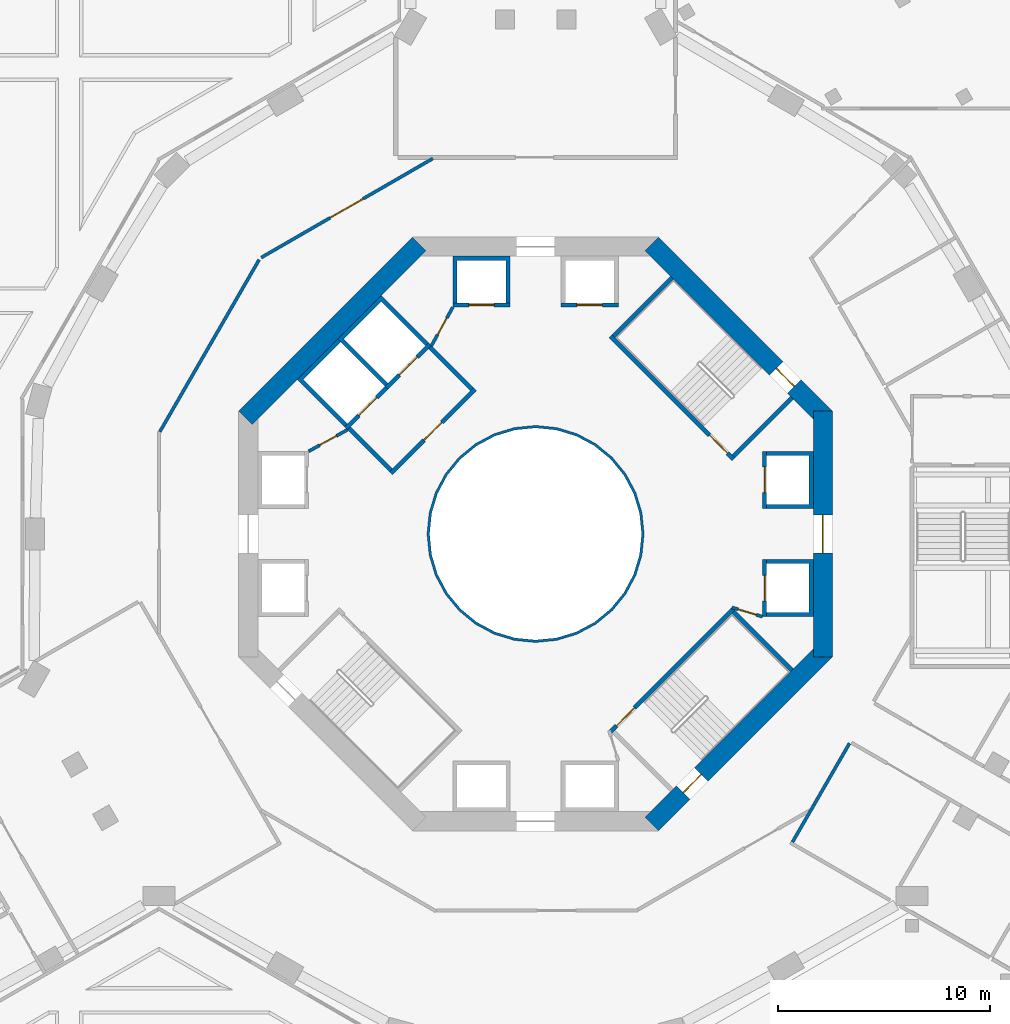
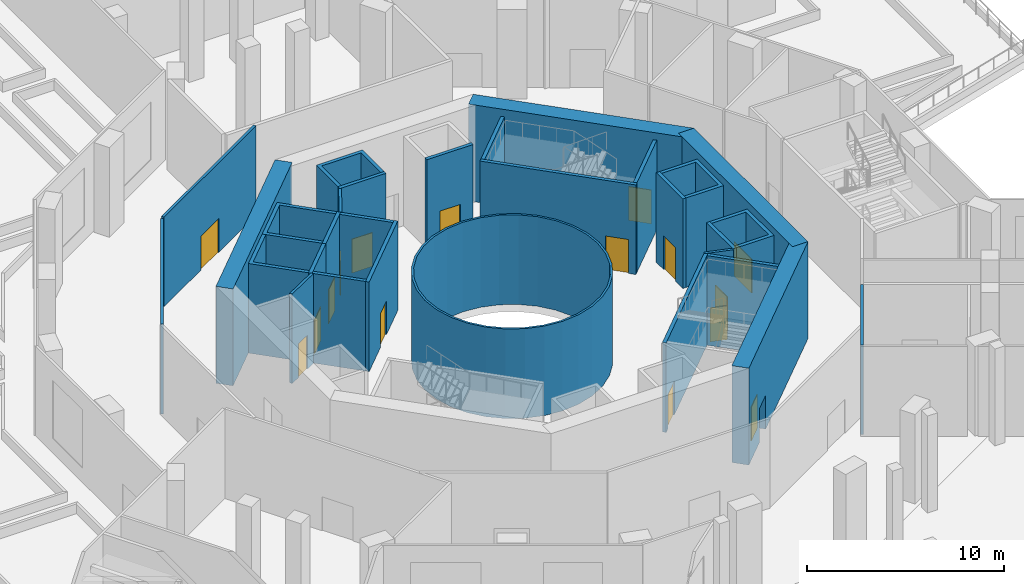
# One storey, part 6 of 29: 30 walls, 16 doors, 16 openings.
"""IFC4 building model written with IfcOpenShell, lengths in metres."""

from ifc_helpers import new_model, si_unit, direction, frame, frame_2d, origin, place, context, subcontext, project, spatial, polyline, rectangle, outline, extrude, material, layer, layer_set, type_object, element, fill, save


model = new_model("IFC4")

# Units and contexts
model_context = context("Model", 3, precision=1e-05, world=origin(), true_north=direction((0.0, 1.0)))
body_context = subcontext(model_context, "Body", "Model", "MODEL_VIEW")
ifc_project = project(units=[si_unit("LENGTHUNIT", "METRE"), si_unit("AREAUNIT", "SQUARE_METRE"), si_unit("VOLUMEUNIT", "CUBIC_METRE"), si_unit("PLANEANGLEUNIT", "RADIAN"), si_unit("MASSUNIT", "GRAM", prefix="KILO")], contexts=[model_context])

# Site, building, storey
site_placement = place(None, origin())
site = spatial("IfcSite", under=ifc_project, at=site_placement, CompositionType="ELEMENT")
building_placement = place(site_placement, origin())
building = spatial("IfcBuilding", under=site, at=building_placement, Name="Verdalira Terraces Hotel", CompositionType="ELEMENT")
storey_placement = place(building_placement, frame((0.0, 0.0, 8.0)))
storey = spatial("IfcBuildingStorey", under=building, at=storey_placement, Name="L01", CompositionType="ELEMENT", Elevation=8.0)

# Walls
ifc_material_1 = material(Name="Fire-resisting glass EI 180", Category="glass")
ifc_layer_1 = layer(ifc_material_1, 0.1201171875)
ifc_layer_set_1 = layer_set([ifc_layer_1], Name="Atrium fire screen 120 mm")
wall_type_1 = type_object("IfcWallType", Name="Atrium fire screen 120 mm", PredefinedType="SOLIDWALL", material=ifc_layer_set_1)
wall_1_placement = place(storey_placement, origin())
element("IfcWall", 1, at=wall_1_placement, inside=storey, type_object=wall_type_1, Name="Atrium fire screen", PredefinedType="SOLIDWALL", context=body_context, shape_type="SweptSolid", body=[
    extrude(outline(polyline([(5.021484, -0.998779), (4.730225, -1.959229), (4.25708, -2.844482), (3.620361, -3.620361), (2.844482, -4.25708), (1.959229, -4.730225), (0.998779, -5.021484), (0.0, -5.120117), (-0.998779, -5.021484), (-1.959229, -4.730225), (-2.844482, -4.25708), (-3.620361, -3.620361), (-4.25708, -2.844482), (-4.730225, -1.959229), (-5.021484, -0.998779), (-5.120117, 0.0), (-5.021484, 0.998779), (-4.730225, 1.959229), (-4.25708, 2.844482), (-3.620361, 3.620361), (-2.844482, 4.25708), (-1.959229, 4.730225), (-0.998779, 5.021484), (0.0, 5.120117), (0.998779, 5.021484), (1.959229, 4.730225), (2.844482, 4.25708), (3.620361, 3.620361), (4.25708, 2.844482), (4.730225, 1.959229), (5.021484, 0.998779), (5.120117, 0.0), (5.021484, -0.998779)]), holes=[polyline([(4.903809, 0.975586), (4.619385, 1.91333), (4.157227, 2.777832), (3.5354, 3.5354), (2.777832, 4.157227), (1.91333, 4.619385), (0.975586, 4.903809), (0.0, 5.0), (-0.975586, 4.903809), (-1.91333, 4.619385), (-2.777832, 4.157227), (-3.5354, 3.5354), (-4.157227, 2.777832), (-4.619385, 1.91333), (-4.903809, 0.975586), (-5.0, 0.0), (-4.903809, -0.975586), (-4.619385, -1.91333), (-4.157227, -2.777832), (-3.5354, -3.5354), (-2.777832, -4.157227), (-1.91333, -4.619385), (-0.975586, -4.903809), (0.0, -5.0), (0.975586, -4.903809), (1.91333, -4.619385), (2.777832, -4.157227), (3.5354, -3.5354), (4.157227, -2.777832), (4.619385, -1.91333), (4.903809, -0.975586), (5.0, 0.0), (4.903809, 0.975586)])]), origin(), (0.0, 0.0, 1.0), 5.550049),
])
ifc_material_2 = material(Name="Concrete C50", Category="concrete")
ifc_layer_2 = layer(ifc_material_2, 0.199951171875)
ifc_layer_set_2 = layer_set([ifc_layer_2], Name="Core RC wall 200 C50")
wall_type_2 = type_object("IfcWallType", Name="Core RC wall 200 C50", PredefinedType="SOLIDWALL", material=ifc_layer_set_2)
wall_2_placement = place(storey_placement, origin())
element("IfcWall", 2, at=wall_2_placement, inside=storey, type_object=wall_type_2, Name="L01 shaft wall E1", PredefinedType="SOLIDWALL", context=body_context, shape_type="SweptSolid", body=[
    extrude(outline(polyline([(13.100098, -3.899902), (10.899902, -3.899902), (10.899902, -3.699951), (12.899902, -3.699951), (12.899902, -1.399902), (10.899902, -1.399902), (10.899902, -1.199951), (13.100098, -1.199951), (13.100098, -3.899902)])), origin(), (0.0, 0.0, 1.0), 5.550049),
])

# Wall, opening, door
wall_3_placement = place(storey_placement, frame((10.800049, -1.199951, 0.0), z_axis=(0.0, 0.0, 1.0), x_axis=(0.0, -1.0, 0.0)))
wall_3 = element("IfcWall", 3, at=wall_3_placement, inside=storey, type_object=wall_type_2, Name="L01 shaft front wall E1", PredefinedType="SOLIDWALL", context=body_context, shape_type="SweptSolid", body=[
    extrude(rectangle(XDim=2.699951, YDim=0.199951, at=frame_2d((1.350098, 0.0))), origin(), (0.0, 0.0, 1.0), 5.550049),
])
opening_1_placement = place(wall_3_placement, frame((0.75, 0.0, 0.0)))
opening_1 = element("IfcOpeningElement", 4, at=opening_1_placement, cuts=wall_3, Name="Opening LD-L01-801", PredefinedType="OPENING", context=body_context, shape_type="SweptSolid", body=[
    extrude(rectangle(XDim=1.199951, YDim=2.100098, at=frame_2d((0.600098, 1.050049))), frame((0.0, 0.109863, 0.0), z_axis=(0.0, -1.0, 0.0), x_axis=(1.0, 0.0, 0.0)), (0.0, 0.0, 1.0), 0.219971),
])
ifc_material_3 = material(Name="Stainless steel", Category="steel")
door_type_1 = type_object("IfcDoorType", Name="Landing door 1200 x 2100", OperationType="NOTDEFINED", PredefinedType="DOOR", material=ifc_material_3)
door_1_placement = place(opening_1_placement, origin())
door_1 = element("IfcDoor", 5, at=door_1_placement, inside=storey, type_object=door_type_1, Name="Lift landing door LR1 L01", OperationType="DOUBLE_DOOR_SLIDING", OverallHeight=2.10009765625, OverallWidth=1.199951171875, PredefinedType="DOOR", context=body_context, shape_type="SweptSolid", body=[
    extrude(rectangle(XDim=1.199951, YDim=2.100098, at=frame_2d((0.600098, 1.050049))), frame((0.0, 0.024902, 0.0), z_axis=(0.0, -1.0, 0.0), x_axis=(1.0, 0.0, 0.0)), (0.0, 0.0, 1.0), 0.050049),
])
fill(opening_1, door_1)

# Wall
wall_4_placement = place(storey_placement, origin())
element("IfcWall", 6, at=wall_4_placement, inside=storey, type_object=wall_type_2, Name="L01 shaft wall E2", PredefinedType="SOLIDWALL", context=body_context, shape_type="SweptSolid", body=[
    extrude(outline(polyline([(13.100098, 3.899902), (13.100098, 1.199951), (10.899902, 1.199951), (10.899902, 1.399902), (12.899902, 1.399902), (12.899902, 3.699951), (10.899902, 3.699951), (10.899902, 3.899902), (13.100098, 3.899902)])), origin(), (0.0, 0.0, 1.0), 5.550049),
])

# Wall, opening, door
wall_5_placement = place(storey_placement, frame((10.800049, 1.199951, 0.0), z_axis=(0.0, 0.0, 1.0), x_axis=(0.0, 1.0, 0.0)))
wall_5 = element("IfcWall", 7, at=wall_5_placement, inside=storey, type_object=wall_type_2, Name="L01 shaft front wall E2", PredefinedType="SOLIDWALL", context=body_context, shape_type="SweptSolid", body=[
    extrude(rectangle(XDim=2.699951, YDim=0.199951, at=frame_2d((1.350098, 0.0))), origin(), (0.0, 0.0, 1.0), 5.550049),
])
opening_2_placement = place(wall_5_placement, frame((0.75, 0.0, 0.0)))
opening_2 = element("IfcOpeningElement", 8, at=opening_2_placement, cuts=wall_5, Name="Opening LD-L01-802", PredefinedType="OPENING", context=body_context, shape_type="SweptSolid", body=[
    extrude(rectangle(XDim=1.199951, YDim=2.100098, at=frame_2d((0.600098, 1.050049))), frame((0.0, 0.109863, 0.0), z_axis=(0.0, -1.0, 0.0), x_axis=(1.0, 0.0, 0.0)), (0.0, 0.0, 1.0), 0.219971),
])
door_2_placement = place(opening_2_placement, origin())
door_2 = element("IfcDoor", 9, at=door_2_placement, inside=storey, type_object=door_type_1, Name="Lift landing door LR2 L01", OperationType="DOUBLE_DOOR_SLIDING", OverallHeight=2.10009765625, OverallWidth=1.199951171875, PredefinedType="DOOR", context=body_context, shape_type="SweptSolid", body=[
    extrude(rectangle(XDim=1.199951, YDim=2.100098, at=frame_2d((0.600098, 1.050049))), frame((0.0, 0.024902, 0.0), z_axis=(0.0, -1.0, 0.0), x_axis=(1.0, 0.0, 0.0)), (0.0, 0.0, 1.0), 0.050049),
])
fill(opening_2, door_2)

wall_6_placement = place(storey_placement, frame((1.199951, 10.800049, 0.0), z_axis=(0.0, 0.0, 1.0), x_axis=(1.0, 0.0, 0.0)))
wall_6 = element("IfcWall", 10, at=wall_6_placement, inside=storey, type_object=wall_type_2, Name="L01 shaft front wall N1", PredefinedType="SOLIDWALL", context=body_context, shape_type="SweptSolid", body=[
    extrude(rectangle(XDim=2.699951, YDim=0.199951, at=frame_2d((1.350098, 0.0))), origin(), (0.0, 0.0, 1.0), 5.550049),
])
opening_3_placement = place(wall_6_placement, frame((0.75, 0.0, 0.0)))
opening_3 = element("IfcOpeningElement", 11, at=opening_3_placement, cuts=wall_6, Name="Opening LD-L01-803", PredefinedType="OPENING", context=body_context, shape_type="SweptSolid", body=[
    extrude(rectangle(XDim=1.199951, YDim=2.100098, at=frame_2d((0.600098, 1.050049))), frame((0.0, 0.109863, 0.0), z_axis=(0.0, -1.0, 0.0), x_axis=(1.0, 0.0, 0.0)), (0.0, 0.0, 1.0), 0.219971),
])
door_3_placement = place(opening_3_placement, origin())
door_3 = element("IfcDoor", 12, at=door_3_placement, inside=storey, type_object=door_type_1, Name="Lift landing door LR3 L01", OperationType="DOUBLE_DOOR_SLIDING", OverallHeight=2.10009765625, OverallWidth=1.199951171875, PredefinedType="DOOR", context=body_context, shape_type="SweptSolid", body=[
    extrude(rectangle(XDim=1.199951, YDim=2.100098, at=frame_2d((0.600098, 1.050049))), frame((0.0, 0.024902, 0.0), z_axis=(0.0, -1.0, 0.0), x_axis=(1.0, 0.0, 0.0)), (0.0, 0.0, 1.0), 0.050049),
])
fill(opening_3, door_3)

# Wall
wall_7_placement = place(storey_placement, origin())
element("IfcWall", 13, at=wall_7_placement, inside=storey, type_object=wall_type_2, Name="L01 shaft wall N2", PredefinedType="SOLIDWALL", context=body_context, shape_type="SweptSolid", body=[
    extrude(outline(polyline([(-3.899902, 10.899902), (-3.899902, 13.100098), (-1.199951, 13.100098), (-1.199951, 10.899902), (-1.399902, 10.899902), (-1.399902, 12.899902), (-3.699951, 12.899902), (-3.699951, 10.899902), (-3.899902, 10.899902)])), origin(), (0.0, 0.0, 1.0), 5.550049),
])

# Wall, opening, door
wall_8_placement = place(storey_placement, frame((-1.199951, 10.800049, 0.0), z_axis=(0.0, 0.0, 1.0), x_axis=(-1.0, 0.0, 0.0)))
wall_8 = element("IfcWall", 14, at=wall_8_placement, inside=storey, type_object=wall_type_2, Name="L01 shaft front wall N2", PredefinedType="SOLIDWALL", context=body_context, shape_type="SweptSolid", body=[
    extrude(rectangle(XDim=2.699951, YDim=0.199951, at=frame_2d((1.350098, 0.0))), origin(), (0.0, 0.0, 1.0), 5.550049),
])
opening_4_placement = place(wall_8_placement, frame((0.75, 0.0, 0.0)))
opening_4 = element("IfcOpeningElement", 15, at=opening_4_placement, cuts=wall_8, Name="Opening LD-L01-804", PredefinedType="OPENING", context=body_context, shape_type="SweptSolid", body=[
    extrude(rectangle(XDim=1.199951, YDim=2.100098, at=frame_2d((0.600098, 1.050049))), frame((0.0, 0.109863, 0.0), z_axis=(0.0, -1.0, 0.0), x_axis=(1.0, 0.0, 0.0)), (0.0, 0.0, 1.0), 0.219971),
])
door_4_placement = place(opening_4_placement, origin())
door_4 = element("IfcDoor", 16, at=door_4_placement, inside=storey, type_object=door_type_1, Name="Lift landing door LR4 L01", OperationType="DOUBLE_DOOR_SLIDING", OverallHeight=2.10009765625, OverallWidth=1.199951171875, PredefinedType="DOOR", context=body_context, shape_type="SweptSolid", body=[
    extrude(rectangle(XDim=1.199951, YDim=2.100098, at=frame_2d((0.600098, 1.050049))), frame((0.0, 0.024902, 0.0), z_axis=(0.0, -1.0, 0.0), x_axis=(1.0, 0.0, 0.0)), (0.0, 0.0, 1.0), 0.050049),
])
fill(opening_4, door_4)

# Wall
wall_9_placement = place(storey_placement, origin())
element("IfcWall", 17, at=wall_9_placement, inside=storey, type_object=wall_type_2, Name="L01 shaft wall F1", PredefinedType="SOLIDWALL", context=body_context, shape_type="SweptSolid", body=[
    extrude(outline(polyline([(-9.33374, 9.192383), (-7.283203, 11.24292), (-5.055908, 9.015625), (-5.197266, 8.874268), (-7.283203, 10.960205), (-9.051025, 9.192383), (-6.965088, 7.106445), (-7.106445, 6.965088), (-9.33374, 9.192383)])), origin(), (0.0, 0.0, 1.0), 5.550049),
])

# Wall, opening, door
wall_10_placement = place(storey_placement, frame((-4.985107, 8.944824, 0.0), z_axis=(0.0, 0.0, 1.0), x_axis=(-0.707106781, -0.707106781, 0.0)))
wall_10 = element("IfcWall", 18, at=wall_10_placement, inside=storey, type_object=wall_type_2, Name="L01 shaft front wall F1", PredefinedType="SOLIDWALL", context=body_context, shape_type="SweptSolid", body=[
    extrude(rectangle(XDim=2.899902, YDim=0.199951, at=frame_2d((1.449951, 0.0))), origin(), (0.0, 0.0, 1.0), 5.550049),
])
opening_5_placement = place(wall_10_placement, frame((0.850098, 0.0, 0.0)))
opening_5 = element("IfcOpeningElement", 19, at=opening_5_placement, cuts=wall_10, Name="Opening LD-L01-807", PredefinedType="OPENING", context=body_context, shape_type="SweptSolid", body=[
    extrude(rectangle(XDim=1.199951, YDim=2.100098, at=frame_2d((0.600098, 1.050049))), frame((0.0, 0.109863, 0.0), z_axis=(0.0, -1.0, 0.0), x_axis=(1.0, 0.0, 0.0)), (0.0, 0.0, 1.0), 0.219971),
])
door_5_placement = place(opening_5_placement, origin())
door_5 = element("IfcDoor", 20, at=door_5_placement, inside=storey, type_object=door_type_1, Name="Lift landing door LF11 L01", OperationType="DOUBLE_DOOR_SLIDING", OverallHeight=2.10009765625, OverallWidth=1.199951171875, PredefinedType="DOOR", context=body_context, shape_type="SweptSolid", body=[
    extrude(rectangle(XDim=1.199951, YDim=2.100098, at=frame_2d((0.600098, 1.050049))), frame((0.0, 0.024902, 0.0), z_axis=(0.0, -1.0, 0.0), x_axis=(1.0, 0.0, 0.0)), (0.0, 0.0, 1.0), 0.050049),
])
fill(opening_5, door_5)

# Wall
wall_11_placement = place(storey_placement, origin())
element("IfcWall", 21, at=wall_11_placement, inside=storey, type_object=wall_type_2, Name="L01 shaft wall F2", PredefinedType="SOLIDWALL", context=body_context, shape_type="SweptSolid", body=[
    extrude(outline(polyline([(-11.24292, 7.283203), (-9.33374, 9.192383), (-9.192383, 9.051025), (-10.960205, 7.283203), (-8.874268, 5.197266), (-9.015625, 5.055908), (-11.24292, 7.283203)])), origin(), (0.0, 0.0, 1.0), 5.550049),
])

# Wall, opening, door
wall_12_placement = place(storey_placement, frame((-7.035645, 6.894287, 0.0), z_axis=(0.0, 0.0, 1.0), x_axis=(-0.707106781, -0.707106781, 0.0)))
wall_12 = element("IfcWall", 22, at=wall_12_placement, inside=storey, type_object=wall_type_2, Name="L01 shaft front wall F2", PredefinedType="SOLIDWALL", context=body_context, shape_type="SweptSolid", body=[
    extrude(rectangle(XDim=2.699951, YDim=0.199951, at=frame_2d((1.350098, 0.0))), origin(), (0.0, 0.0, 1.0), 5.550049),
])
opening_6_placement = place(wall_12_placement, frame((0.649902, 0.0, 0.0)))
opening_6 = element("IfcOpeningElement", 23, at=opening_6_placement, cuts=wall_12, Name="Opening LD-L01-808", PredefinedType="OPENING", context=body_context, shape_type="SweptSolid", body=[
    extrude(rectangle(XDim=1.199951, YDim=2.100098, at=frame_2d((0.600098, 1.050049))), frame((0.0, 0.109863, 0.0), z_axis=(0.0, -1.0, 0.0), x_axis=(1.0, 0.0, 0.0)), (0.0, 0.0, 1.0), 0.219971),
])
door_6_placement = place(opening_6_placement, origin())
door_6 = element("IfcDoor", 24, at=door_6_placement, inside=storey, type_object=door_type_1, Name="Lift landing door LF12 L01", OperationType="DOUBLE_DOOR_SLIDING", OverallHeight=2.10009765625, OverallWidth=1.199951171875, PredefinedType="DOOR", context=body_context, shape_type="SweptSolid", body=[
    extrude(rectangle(XDim=1.199951, YDim=2.100098, at=frame_2d((0.600098, 1.050049))), frame((0.0, 0.024902, 0.0), z_axis=(0.0, -1.0, 0.0), x_axis=(1.0, 0.0, 0.0)), (0.0, 0.0, 1.0), 0.050049),
])
fill(opening_6, door_6)

wall_13_placement = place(storey_placement, frame((3.5354, 9.33374, 0.0), z_axis=(0.0, 0.0, 1.0), x_axis=(0.707106781, -0.707106781, 0.0)))
wall_13 = element("IfcWall", 25, at=wall_13_placement, inside=storey, type_object=wall_type_2, Name="L01 stair ST1 front wall", PredefinedType="SOLIDWALL", context=body_context, shape_type="SweptSolid", body=[
    extrude(rectangle(XDim=8.200195, YDim=0.199951, at=frame_2d((4.100098, 0.0))), origin(), (0.0, 0.0, 1.0), 5.550049),
])
opening_7_placement = place(wall_13_placement, frame((6.600098, 0.0, 0.0)))
opening_7 = element("IfcOpeningElement", 26, at=opening_7_placement, cuts=wall_13, Name="Opening L01-809", PredefinedType="OPENING", context=body_context, shape_type="SweptSolid", body=[
    extrude(rectangle(XDim=1.199951, YDim=2.100098, at=frame_2d((0.600098, 1.050049))), frame((0.0, 0.109863, 0.0), z_axis=(0.0, -1.0, 0.0), x_axis=(1.0, 0.0, 0.0)), (0.0, 0.0, 1.0), 0.219971),
])
ifc_material_4 = material(Name="Steel fire door", Category="steel")
door_type_2 = type_object("IfcDoorType", Name="Stair door 1200 x 2100", OperationType="NOTDEFINED", PredefinedType="DOOR", material=ifc_material_4)
door_7_placement = place(opening_7_placement, origin())
door_7 = element("IfcDoor", 27, at=door_7_placement, inside=storey, type_object=door_type_2, Name="Stair door ST1 L01", OperationType="SINGLE_SWING_RIGHT", OverallHeight=2.10009765625, OverallWidth=1.199951171875, PredefinedType="DOOR", context=body_context, shape_type="SweptSolid", body=[
    extrude(rectangle(XDim=1.199951, YDim=2.100098, at=frame_2d((0.600098, 1.050049))), frame((0.0, 0.024902, 0.0), z_axis=(0.0, -1.0, 0.0), x_axis=(1.0, 0.0, 0.0)), (0.0, 0.0, 1.0), 0.050049),
])
fill(opening_7, door_7)

# Walls
for number, where, z_axis, x_axis, name in (
    (28, (9.33374, 3.677002, 0.0), (0.0, 0.0, 1.0), (0.707106781, 0.707106781, 0.0), "L01 stair ST1 end wall 1"),
    (29, (3.677002, 9.33374, 0.0), (0.0, 0.0, 1.0), (0.707106781, 0.707106781, 0.0), "L01 stair ST1 end wall 2"),
):
    element("IfcWall", number, at=place(storey_placement, frame(where, z_axis=z_axis, x_axis=x_axis)), inside=storey, type_object=wall_type_2, Name=name, PredefinedType="SOLIDWALL", context=body_context, shape_type="SweptSolid", body=[
        extrude(rectangle(XDim=3.900146, YDim=0.199951, at=frame_2d((1.950195, 0.0))), origin(), (0.0, 0.0, 1.0), 5.550049),
    ])

# Wall, opening, door
wall_14_placement = place(storey_placement, frame((9.33374, -3.5354, 0.0), z_axis=(0.0, 0.0, 1.0), x_axis=(-0.707106781, -0.707106781, 0.0)))
wall_14 = element("IfcWall", 30, at=wall_14_placement, inside=storey, type_object=wall_type_2, Name="L01 stair ST3 front wall", PredefinedType="SOLIDWALL", context=body_context, shape_type="SweptSolid", body=[
    extrude(rectangle(XDim=8.200195, YDim=0.199951, at=frame_2d((4.100098, 0.0))), origin(), (0.0, 0.0, 1.0), 5.550049),
])
opening_8_placement = place(wall_14_placement, frame((6.600098, 0.0, 0.0)))
opening_8 = element("IfcOpeningElement", 31, at=opening_8_placement, cuts=wall_14, Name="Opening L01-811", PredefinedType="OPENING", context=body_context, shape_type="SweptSolid", body=[
    extrude(rectangle(XDim=1.199951, YDim=2.100098, at=frame_2d((0.600098, 1.050049))), frame((0.0, 0.109863, 0.0), z_axis=(0.0, -1.0, 0.0), x_axis=(1.0, 0.0, 0.0)), (0.0, 0.0, 1.0), 0.219971),
])
door_8_placement = place(opening_8_placement, origin())
door_8 = element("IfcDoor", 32, at=door_8_placement, inside=storey, type_object=door_type_2, Name="Stair door ST3 L01", OperationType="SINGLE_SWING_RIGHT", OverallHeight=2.10009765625, OverallWidth=1.199951171875, PredefinedType="DOOR", context=body_context, shape_type="SweptSolid", body=[
    extrude(rectangle(XDim=1.199951, YDim=2.100098, at=frame_2d((0.600098, 1.050049))), frame((0.0, 0.024902, 0.0), z_axis=(0.0, -1.0, 0.0), x_axis=(1.0, 0.0, 0.0)), (0.0, 0.0, 1.0), 0.050049),
])
fill(opening_8, door_8)

# Wall
wall_15_placement = place(storey_placement, frame((9.33374, -3.677002, 0.0), z_axis=(0.0, 0.0, 1.0), x_axis=(0.707106781, -0.707106781, 0.0)))
element("IfcWall", 33, at=wall_15_placement, inside=storey, type_object=wall_type_2, Name="L01 stair ST3 end wall 2", PredefinedType="SOLIDWALL", context=body_context, shape_type="SweptSolid", body=[
    extrude(rectangle(XDim=3.900146, YDim=0.199951, at=frame_2d((1.950195, 0.0))), origin(), (0.0, 0.0, 1.0), 5.550049),
])

# Wall, opening, door
wall_16_placement = place(storey_placement, frame((-2.86377, 6.823486, 0.0), z_axis=(0.0, 0.0, 1.0), x_axis=(-0.707106781, -0.707106781, 0.0)))
wall_16 = element("IfcWall", 34, at=wall_16_placement, inside=storey, type_object=wall_type_2, Name="L01 fire lobby wall", PredefinedType="SOLIDWALL", context=body_context, shape_type="SweptSolid", body=[
    extrude(rectangle(XDim=5.599854, YDim=0.199951, at=frame_2d((2.799805, 0.0))), origin(), (0.0, 0.0, 1.0), 5.550049),
])
opening_9_placement = place(wall_16_placement, frame((2.199951, 0.0, 0.0)))
opening_9 = element("IfcOpeningElement", 35, at=opening_9_placement, cuts=wall_16, Name="Opening L01-819", PredefinedType="OPENING", context=body_context, shape_type="SweptSolid", body=[
    extrude(rectangle(XDim=1.199951, YDim=2.100098, at=frame_2d((0.600098, 1.050049))), frame((0.0, 0.109863, 0.0), z_axis=(0.0, -1.0, 0.0), x_axis=(1.0, 0.0, 0.0)), (0.0, 0.0, 1.0), 0.219971),
])
ifc_material_5 = material(Name="Steel fire door", Category="steel")
door_type_3 = type_object("IfcDoorType", Name="Lobby door 1200 x 2100", OperationType="NOTDEFINED", PredefinedType="DOOR", material=ifc_material_5)
door_9_placement = place(opening_9_placement, origin())
door_9 = element("IfcDoor", 36, at=door_9_placement, inside=storey, type_object=door_type_3, Name="Fire lobby door L01", OperationType="SINGLE_SWING_LEFT", OverallHeight=2.10009765625, OverallWidth=1.199951171875, PredefinedType="DOOR", context=body_context, shape_type="SweptSolid", body=[
    extrude(rectangle(XDim=1.199951, YDim=2.100098, at=frame_2d((0.600098, 1.050049))), frame((0.0, 0.024902, 0.0), z_axis=(0.0, -1.0, 0.0), x_axis=(1.0, 0.0, 0.0)), (0.0, 0.0, 1.0), 0.050049),
])
fill(opening_9, door_9)

# Walls
for number, where, z_axis, x_axis, name in (
    (37, (-3.005127, 6.823486, 0.0), (0.0, 0.0, 1.0), (-0.707106781, 0.707106781, 0.0), "L01 fire lobby wall"),
    (38, (-6.823486, 3.005127, 0.0), (0.0, 0.0, 1.0), (-0.707106781, 0.707106781, 0.0), "L01 fire lobby wall"),
):
    element("IfcWall", number, at=place(storey_placement, frame(where, z_axis=z_axis, x_axis=x_axis)), inside=storey, type_object=wall_type_2, Name=name, PredefinedType="SOLIDWALL", context=body_context, shape_type="SweptSolid", body=[
        extrude(rectangle(XDim=2.800049, YDim=0.199951, at=frame_2d((1.399902, 0.0))), origin(), (0.0, 0.0, 1.0), 5.550049),
    ])

# Wall, opening, door
ifc_material_6 = material(Name="Gypsum board partition")
ifc_layer_3 = layer(ifc_material_6, 0.14990234375)
ifc_layer_set_3 = layer_set([ifc_layer_3], Name="Core partition 150 mm")
wall_type_3 = type_object("IfcWallType", Name="Core partition 150 mm", PredefinedType="PARTITIONING", material=ifc_layer_set_3)
wall_17_placement = place(storey_placement, frame((-3.899902, 10.699951, 0.0), z_axis=(0.0, 0.0, 1.0), x_axis=(-0.485692555, -0.874129705, 0.0)))
wall_17 = element("IfcWall", 39, at=wall_17_placement, inside=storey, type_object=wall_type_3, Name="Room partition L01", PredefinedType="PARTITIONING", context=body_context, shape_type="SweptSolid", body=[
    extrude(rectangle(XDim=2.088623, YDim=0.149902, at=frame_2d((1.044434, 0.0))), origin(), (0.0, 0.0, 1.0), 5.550049),
])
opening_10_placement = place(wall_17_placement, frame((0.594238, 0.0, 0.0)))
opening_10 = element("IfcOpeningElement", 40, at=opening_10_placement, cuts=wall_17, Name="Opening L01-820", PredefinedType="OPENING", context=body_context, shape_type="SweptSolid", body=[
    extrude(rectangle(XDim=0.899902, YDim=2.100098, at=frame_2d((0.449951, 1.050049))), frame((0.0, 0.084961, 0.0), z_axis=(0.0, -1.0, 0.0), x_axis=(1.0, 0.0, 0.0)), (0.0, 0.0, 1.0), 0.169922),
])
ifc_material_7 = material(Name="Steel fire door", Category="steel")
door_type_4 = type_object("IfcDoorType", Name="Core room door 900 x 2100", OperationType="NOTDEFINED", PredefinedType="DOOR", material=ifc_material_7)
door_10_placement = place(opening_10_placement, origin())
door_10 = element("IfcDoor", 41, at=door_10_placement, inside=storey, type_object=door_type_4, Name="Door L01 room2", OperationType="SINGLE_SWING_LEFT", OverallHeight=2.10009765625, OverallWidth=0.89990234375, PredefinedType="DOOR", context=body_context, shape_type="SweptSolid", body=[
    extrude(rectangle(XDim=0.899902, YDim=2.100098, at=frame_2d((0.449951, 1.050049))), frame((0.0, 0.024902, 0.0), z_axis=(0.0, -1.0, 0.0), x_axis=(1.0, 0.0, 0.0)), (0.0, 0.0, 1.0), 0.050049),
])
fill(opening_10, door_10)

wall_18_placement = place(storey_placement, frame((-8.874268, 4.914307, 0.0), z_axis=(0.0, 0.0, 1.0), x_axis=(-0.874129705, -0.485692555, 0.0)))
wall_18 = element("IfcWall", 42, at=wall_18_placement, inside=storey, type_object=wall_type_3, Name="Room partition L01", PredefinedType="PARTITIONING", context=body_context, shape_type="SweptSolid", body=[
    extrude(rectangle(XDim=2.088623, YDim=0.149902, at=frame_2d((1.044434, 0.0))), origin(), (0.0, 0.0, 1.0), 5.550049),
])
opening_11_placement = place(wall_18_placement, frame((0.594238, 0.0, 0.0)))
opening_11 = element("IfcOpeningElement", 43, at=opening_11_placement, cuts=wall_18, Name="Opening L01-821", PredefinedType="OPENING", context=body_context, shape_type="SweptSolid", body=[
    extrude(rectangle(XDim=0.899902, YDim=2.100098, at=frame_2d((0.449951, 1.050049))), frame((0.0, 0.084961, 0.0), z_axis=(0.0, -1.0, 0.0), x_axis=(1.0, 0.0, 0.0)), (0.0, 0.0, 1.0), 0.169922),
])
door_11_placement = place(opening_11_placement, origin())
door_11 = element("IfcDoor", 44, at=door_11_placement, inside=storey, type_object=door_type_4, Name="Door L01 room3", OperationType="SINGLE_SWING_LEFT", OverallHeight=2.10009765625, OverallWidth=0.89990234375, PredefinedType="DOOR", context=body_context, shape_type="SweptSolid", body=[
    extrude(rectangle(XDim=0.899902, YDim=2.100098, at=frame_2d((0.449951, 1.050049))), frame((0.0, 0.024902, 0.0), z_axis=(0.0, -1.0, 0.0), x_axis=(1.0, 0.0, 0.0)), (0.0, 0.0, 1.0), 0.050049),
])
fill(opening_11, door_11)

wall_19_placement = place(storey_placement, frame((9.263184, -3.464844, 0.0), z_axis=(0.0, 0.0, 1.0), x_axis=(0.957084567, -0.289808785, 0.0)))
wall_19 = element("IfcWall", 45, at=wall_19_placement, inside=storey, type_object=wall_type_3, Name="Room partition L01", PredefinedType="PARTITIONING", context=body_context, shape_type="SweptSolid", body=[
    extrude(rectangle(XDim=1.501221, YDim=0.149902, at=frame_2d((0.750488, 0.0))), origin(), (0.0, 0.0, 1.0), 5.550049),
])
opening_12_placement = place(wall_19_placement, frame((0.300781, 0.0, 0.0)))
opening_12 = element("IfcOpeningElement", 46, at=opening_12_placement, cuts=wall_19, Name="Opening L01-823", PredefinedType="OPENING", context=body_context, shape_type="SweptSolid", body=[
    extrude(rectangle(XDim=0.899902, YDim=2.100098, at=frame_2d((0.449951, 1.050049))), frame((0.0, 0.084961, 0.0), z_axis=(0.0, -1.0, 0.0), x_axis=(1.0, 0.0, 0.0)), (0.0, 0.0, 1.0), 0.169922),
])
door_12_placement = place(opening_12_placement, origin())
door_12 = element("IfcDoor", 47, at=door_12_placement, inside=storey, type_object=door_type_4, Name="Door L01 room7", OperationType="SINGLE_SWING_LEFT", OverallHeight=2.10009765625, OverallWidth=0.89990234375, PredefinedType="DOOR", context=body_context, shape_type="SweptSolid", body=[
    extrude(rectangle(XDim=0.899902, YDim=2.100098, at=frame_2d((0.449951, 1.050049))), frame((0.0, 0.024902, 0.0), z_axis=(0.0, -1.0, 0.0), x_axis=(1.0, 0.0, 0.0)), (0.0, 0.0, 1.0), 0.050049),
])
fill(opening_12, door_12)

ifc_material_8 = material(Name="Concrete C70", Category="concrete")
ifc_layer_4 = layer(ifc_material_8, 0.89990234375)
ifc_layer_set_4 = layer_set([ifc_layer_4], Name="Core wall 900 C70")
wall_type_4 = type_object("IfcWallType", Name="Core wall 900 C70", PredefinedType="SHEAR", material=ifc_layer_set_4)
wall_20_placement = place(storey_placement, frame((13.550049, -5.799072, 0.0), z_axis=(0.0, 0.0, 1.0), x_axis=(0.0, 1.0, 0.0)))
wall_20 = element("IfcWall", 48, at=wall_20_placement, inside=storey, type_object=wall_type_4, Name="Core wall CW-L01-1", PredefinedType="SHEAR", context=body_context, shape_type="SweptSolid", body=[
    extrude(rectangle(XDim=11.598145, YDim=0.899902, at=frame_2d((5.799072, 0.0))), origin(), (0.0, 0.0, 1.0), 6.0),
])
opening_13_placement = place(wall_20_placement, frame((4.898926, 0.0, 0.0)))
opening_13 = element("IfcOpeningElement", 49, at=opening_13_placement, cuts=wall_20, Name="Opening L01-812", PredefinedType="OPENING", context=body_context, shape_type="SweptSolid", body=[
    extrude(rectangle(XDim=1.800049, YDim=2.100098, at=frame_2d((0.899902, 1.050049))), frame((0.0, 0.459961, 0.0), z_axis=(0.0, -1.0, 0.0), x_axis=(1.0, 0.0, 0.0)), (0.0, 0.0, 1.0), 0.919922),
])
ifc_material_9 = material(Name="Steel fire door", Category="steel")
door_type_5 = type_object("IfcDoorType", Name="Core entry door pair 1800 x 2100", OperationType="NOTDEFINED", PredefinedType="DOOR", material=ifc_material_9)
door_13_placement = place(opening_13_placement, origin())
door_13 = element("IfcDoor", 50, at=door_13_placement, inside=storey, type_object=door_type_5, Name="Core entry door L01 0", OperationType="DOUBLE_DOOR_SINGLE_SWING", OverallHeight=2.10009765625, OverallWidth=1.800048828125, PredefinedType="DOOR", context=body_context, shape_type="SweptSolid", body=[
    extrude(rectangle(XDim=1.800049, YDim=2.100098, at=frame_2d((0.899902, 1.050049))), frame((0.0, 0.024902, 0.0), z_axis=(0.0, -1.0, 0.0), x_axis=(1.0, 0.0, 0.0)), (0.0, 0.0, 1.0), 0.050049),
])
fill(opening_13, door_13)

wall_21_placement = place(storey_placement, frame((13.681885, 5.480713, 0.0), z_axis=(0.0, 0.0, 1.0), x_axis=(-0.707106781, 0.707106781, 0.0)))
wall_21 = element("IfcWall", 51, at=wall_21_placement, inside=storey, type_object=wall_type_4, Name="Core wall CW-L01-2", PredefinedType="SHEAR", context=body_context, shape_type="SweptSolid", body=[
    extrude(rectangle(XDim=11.598145, YDim=0.899902, at=frame_2d((5.799072, 0.0))), origin(), (0.0, 0.0, 1.0), 6.0),
])
opening_14_placement = place(wall_21_placement, frame((2.099121, 0.0, 0.0)))
opening_14 = element("IfcOpeningElement", 52, at=opening_14_placement, cuts=wall_21, Name="Opening L01-816", PredefinedType="OPENING", context=body_context, shape_type="SweptSolid", body=[
    extrude(rectangle(XDim=1.199951, YDim=2.100098, at=frame_2d((0.600098, 1.050049))), frame((0.0, 0.459961, 0.0), z_axis=(0.0, -1.0, 0.0), x_axis=(1.0, 0.0, 0.0)), (0.0, 0.0, 1.0), 0.919922),
])
door_14_placement = place(opening_14_placement, origin())
door_14 = element("IfcDoor", 53, at=door_14_placement, inside=storey, type_object=door_type_2, Name="Stair exit door ST1 L01", OperationType="SINGLE_SWING_LEFT", OverallHeight=2.10009765625, OverallWidth=1.199951171875, PredefinedType="DOOR", context=body_context, shape_type="SweptSolid", body=[
    extrude(rectangle(XDim=1.199951, YDim=2.100098, at=frame_2d((0.600098, 1.050049))), frame((0.0, 0.024902, 0.0), z_axis=(0.0, -1.0, 0.0), x_axis=(1.0, 0.0, 0.0)), (0.0, 0.0, 1.0), 0.050049),
])
fill(opening_14, door_14)

# Wall
wall_22_placement = place(storey_placement, frame((-5.480713, 13.681885, 0.0), z_axis=(0.0, 0.0, 1.0), x_axis=(-0.707106781, -0.707106781, 0.0)))
element("IfcWall", 54, at=wall_22_placement, inside=storey, type_object=wall_type_4, Name="Core wall CW-L01-4", PredefinedType="SHEAR", context=body_context, shape_type="SweptSolid", body=[
    extrude(rectangle(XDim=11.598145, YDim=0.899902, at=frame_2d((5.799072, 0.0))), origin(), (0.0, 0.0, 1.0), 6.0),
])

# Wall, opening, door
wall_23_placement = place(storey_placement, frame((5.480713, -13.681885, 0.0), z_axis=(0.0, 0.0, 1.0), x_axis=(0.707106781, 0.707106781, 0.0)))
wall_23 = element("IfcWall", 55, at=wall_23_placement, inside=storey, type_object=wall_type_4, Name="Core wall CW-L01-8", PredefinedType="SHEAR", context=body_context, shape_type="SweptSolid", body=[
    extrude(rectangle(XDim=11.598145, YDim=0.899902, at=frame_2d((5.799072, 0.0))), origin(), (0.0, 0.0, 1.0), 6.0),
])
opening_15_placement = place(wall_23_placement, frame((2.099121, 0.0, 0.0)))
opening_15 = element("IfcOpeningElement", 56, at=opening_15_placement, cuts=wall_23, Name="Opening L01-818", PredefinedType="OPENING", context=body_context, shape_type="SweptSolid", body=[
    extrude(rectangle(XDim=1.199951, YDim=2.100098, at=frame_2d((0.600098, 1.050049))), frame((0.0, 0.459961, 0.0), z_axis=(0.0, -1.0, 0.0), x_axis=(1.0, 0.0, 0.0)), (0.0, 0.0, 1.0), 0.919922),
])
door_15_placement = place(opening_15_placement, origin())
door_15 = element("IfcDoor", 57, at=door_15_placement, inside=storey, type_object=door_type_2, Name="Stair exit door ST3 L01", OperationType="SINGLE_SWING_LEFT", OverallHeight=2.10009765625, OverallWidth=1.199951171875, PredefinedType="DOOR", context=body_context, shape_type="SweptSolid", body=[
    extrude(rectangle(XDim=1.199951, YDim=2.100098, at=frame_2d((0.600098, 1.050049))), frame((0.0, 0.024902, 0.0), z_axis=(0.0, -1.0, 0.0), x_axis=(1.0, 0.0, 0.0)), (0.0, 0.0, 1.0), 0.050049),
])
fill(opening_15, door_15)

# Wall
ifc_material_10 = material(Name="Gypsum board partition on steel stud", Category="steel")
ifc_layer_5 = layer(ifc_material_10, 0.14990234375)
ifc_layer_set_5 = layer_set([ifc_layer_5], Name="Fire-rated partition 150 mm")
wall_type_5 = type_object("IfcWallType", Name="Fire-rated partition 150 mm", PredefinedType="PARTITIONING", material=ifc_layer_set_5)
wall_24_placement = place(storey_placement, frame((-17.720703, 4.823242, 0.0), z_axis=(0.0, 0.0, 1.0), x_axis=(0.499979668, 0.866037142, 0.0)))
element("IfcWall", 58, at=wall_24_placement, inside=storey, type_object=wall_type_5, Name="Partition", PredefinedType="PARTITIONING", context=body_context, shape_type="SweptSolid", body=[
    extrude(rectangle(XDim=9.366699, YDim=0.149902, at=frame_2d((4.68335, 0.0))), origin(), (0.0, 0.0, 1.0), 5.550049),
])

# Wall, opening, door
wall_25_placement = place(storey_placement, frame((-4.844971, 17.708252, 0.0), z_axis=(0.0, 0.0, 1.0), x_axis=(-0.866032826, -0.499987144, 0.0)))
wall_25 = element("IfcWall", 59, at=wall_25_placement, inside=storey, type_object=wall_type_5, Name="Partition", PredefinedType="PARTITIONING", context=body_context, shape_type="SweptSolid", body=[
    extrude(rectangle(XDim=9.341553, YDim=0.149902, at=frame_2d((4.670898, 0.0))), origin(), (0.0, 0.0, 1.0), 5.550049),
])
opening_16_placement = place(wall_25_placement, frame((3.791748, 0.0, 0.0)))
opening_16 = element("IfcOpeningElement", 60, at=opening_16_placement, cuts=wall_25, Name="Opening L01-D06", PredefinedType="OPENING", context=body_context, shape_type="SweptSolid", body=[
    extrude(rectangle(XDim=1.800049, YDim=2.100098, at=frame_2d((0.899902, 1.050049))), frame((0.0, 0.084961, 0.0), z_axis=(0.0, -1.0, 0.0), x_axis=(1.0, 0.0, 0.0)), (0.0, 0.0, 1.0), 0.169922),
])
ifc_material_11 = material(Name="Steel fire door", Category="steel")
door_type_6 = type_object("IfcDoorType", Name="Fire door pair 1800 x 2100", OperationType="DOUBLE_DOOR_SINGLE_SWING", PredefinedType="DOOR", material=ifc_material_11)
door_16_placement = place(opening_16_placement, origin())
door_16 = element("IfcDoor", 61, at=door_16_placement, inside=storey, type_object=door_type_6, Name="Ring corridor door", OperationType="DOUBLE_DOOR_SINGLE_SWING", OverallHeight=2.10009765625, OverallWidth=1.800048828125, PredefinedType="DOOR", context=body_context, shape_type="SweptSolid", body=[
    extrude(rectangle(XDim=1.800049, YDim=2.100098, at=frame_2d((0.899902, 1.050049))), frame((0.0, 0.024902, 0.0), z_axis=(0.0, -1.0, 0.0), x_axis=(1.0, 0.0, 0.0)), (0.0, 0.0, 1.0), 0.050049),
])
fill(opening_16, door_16)

# Wall
wall_26_placement = place(storey_placement, frame((14.804199, -9.875, 0.0), z_axis=(0.0, 0.0, 1.0), x_axis=(-0.4999885, -0.866032043, 0.0)))
element("IfcWall", 62, at=wall_26_placement, inside=storey, type_object=wall_type_5, Name="Partition", PredefinedType="PARTITIONING", context=body_context, shape_type="SweptSolid", body=[
    extrude(rectangle(XDim=5.375244, YDim=0.149902, at=frame_2d((2.6875, 0.0))), origin(), (0.0, 0.0, 1.0), 5.550049),
])

save(model, "model.ifc")
